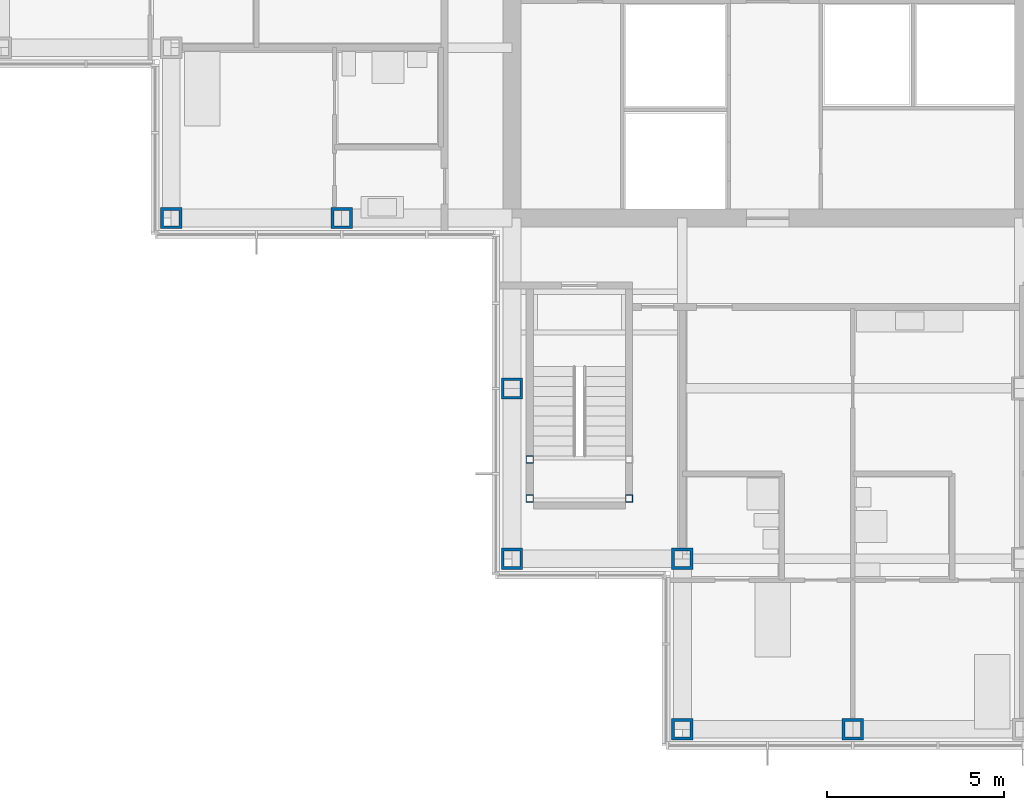
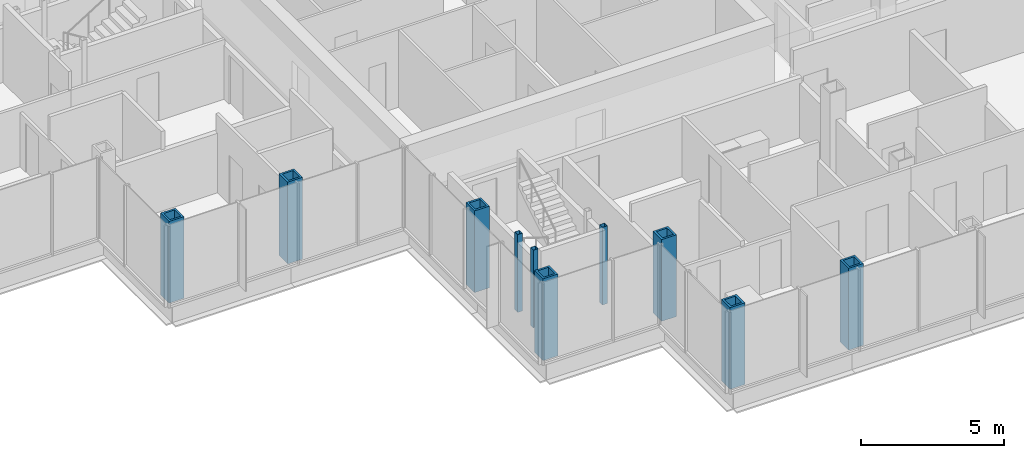
# One storey, part 1 of 20: 10 columns.
"""IFC4 building model written with IfcOpenShell, lengths in metres."""

from ifc_helpers import new_model, si_unit, direction, frame, origin, origin_2d, place, context, subcontext, project, spatial, hollow_rectangle, extrude, material, material_profile, profile_set, type_object, element, save


model = new_model("IFC4")

# Units and contexts
model_context = context("Model", 3, precision=1e-05, world=origin(), true_north=direction((0.0, 1.0)))
body_context = subcontext(model_context, "Body", "Model", "MODEL_VIEW")
ifc_project = project(units=[si_unit("LENGTHUNIT", "METRE"), si_unit("AREAUNIT", "SQUARE_METRE"), si_unit("VOLUMEUNIT", "CUBIC_METRE"), si_unit("PLANEANGLEUNIT", "RADIAN"), si_unit("MASSUNIT", "GRAM", prefix="KILO")], contexts=[model_context])

# Site, building, storey
site_placement = place(None, origin())
site = spatial("IfcSite", under=ifc_project, at=site_placement, CompositionType="ELEMENT")
building_placement = place(site_placement, origin())
building = spatial("IfcBuilding", under=site, at=building_placement, Name="Kvirike Care Tower", CompositionType="ELEMENT")
storey_placement = place(building_placement, frame((0.0, 0.0, 122.5)))
storey = spatial("IfcBuildingStorey", under=building, at=storey_placement, Name="L33", CompositionType="ELEMENT", Elevation=122.5)

# Columns
ifc_material_1 = material(Name="Steel S460", Category="steel")
ifc_material_profile_1 = material_profile(ifc_material_1, hollow_rectangle(XDim=0.60009765625, YDim=0.60009765625, WallThickness=0.080078125, at=origin_2d()), Name="BX 600x600x80")
ifc_profile_set_1 = profile_set([ifc_material_profile_1], Name="Steel S460")
column_type_1 = type_object("IfcColumnType", Name="COLUMN BX 600x600x80", PredefinedType="COLUMN", material=ifc_profile_set_1)
for number, where, z_axis, x_axis, name in (
    (1, (4.800048828125, 28.800048828125, 0.0), (0.0, 0.0, 1.0), (0.0, 1.0, 0.0), "Column G4 L33"),
    (2, (9.60009765625, 28.800048828125, 0.0), (0.0, 0.0, 1.0), (0.0, 1.0, 0.0), "Column G5 L33"),
    (3, (14.39990234375, 19.199951171875, 0.0), (0.0, 0.0, 1.0), (0.0, 1.0, 0.0), "Column E6 L33"),
    (4, (14.39990234375, 24.0, 0.0), (0.0, 0.0, 1.0), (1.0, 0.0, 0.0), "Column F6 L33"),
    (5, (19.199951171875, 14.39990234375, 0.0), (0.0, 0.0, 1.0), (0.0, 1.0, 0.0), "Column D7 L33"),
    (6, (19.199951171875, 19.199951171875, 0.0), (0.0, 0.0, 1.0), (0.0, 1.0, 0.0), "Column E7 L33"),
    (7, (24.0, 14.39990234375, 0.0), (0.0, 0.0, 1.0), (0.0, 1.0, 0.0), "Column D8 L33"),
):
    element("IfcColumn", number, at=place(storey_placement, frame(where, z_axis=z_axis, x_axis=x_axis)), inside=storey, type_object=column_type_1, Name=name, PredefinedType="COLUMN", context=body_context, shape_type="SweptSolid", body=[
        extrude(hollow_rectangle(XDim=0.60009765625, YDim=0.60009765625, WallThickness=0.080078125, at=origin_2d()), origin(), (0.0, 0.0, 1.0), 3.5),
    ])
ifc_material_2 = material(Name="Steel S460", Category="steel")
ifc_material_profile_2 = material_profile(ifc_material_2, hollow_rectangle(XDim=0.199951171875, YDim=0.199951171875, WallThickness=0.008056640625, at=origin_2d()), Name="SHS 200x200x8")
ifc_profile_set_2 = profile_set([ifc_material_profile_2], Name="Steel S460")
column_type_2 = type_object("IfcColumnType", Name="STAIR POST SHS 200x200x8", PredefinedType="COLUMN", material=ifc_profile_set_2)
for number, where, z_axis, x_axis, name in (
    (8, (14.89990234375, 20.89990234375, 0.0), (0.0, 0.0, 1.0), (1.0, 0.0, 0.0), "Stair 5 post 1 L33"),
    (9, (17.699951171875, 20.89990234375, 0.0), (0.0, 0.0, 1.0), (1.0, 0.0, 0.0), "Stair 5 post 2 L33"),
    (10, (14.89990234375, 22.0, 0.0), (0.0, 0.0, 1.0), (1.0, 0.0, 0.0), "Stair 5 post 3 L33"),
):
    element("IfcColumn", number, at=place(storey_placement, frame(where, z_axis=z_axis, x_axis=x_axis)), inside=storey, type_object=column_type_2, Name=name, PredefinedType="COLUMN", context=body_context, shape_type="SweptSolid", body=[
        extrude(hollow_rectangle(XDim=0.199951171875, YDim=0.199951171875, WallThickness=0.008056640625, at=origin_2d()), origin(), (0.0, 0.0, 1.0), 3.330078125),
    ])

save(model, "model.ifc")
